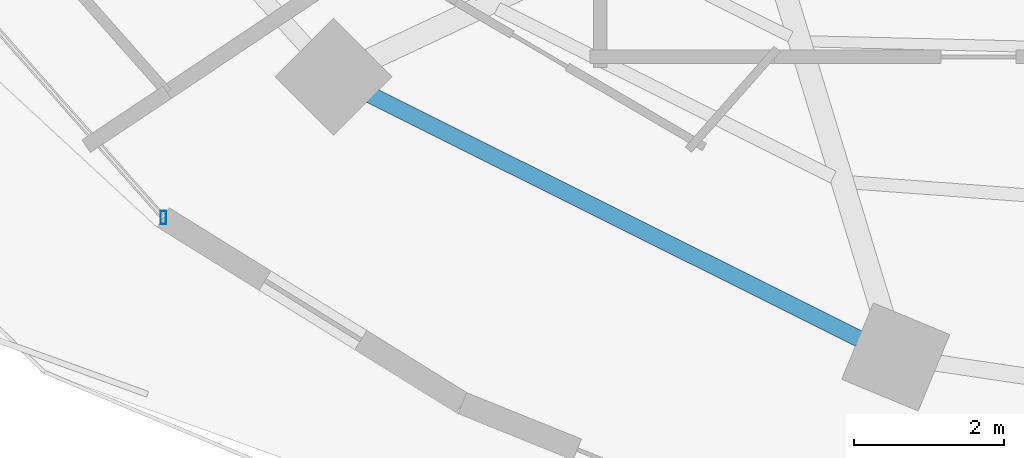
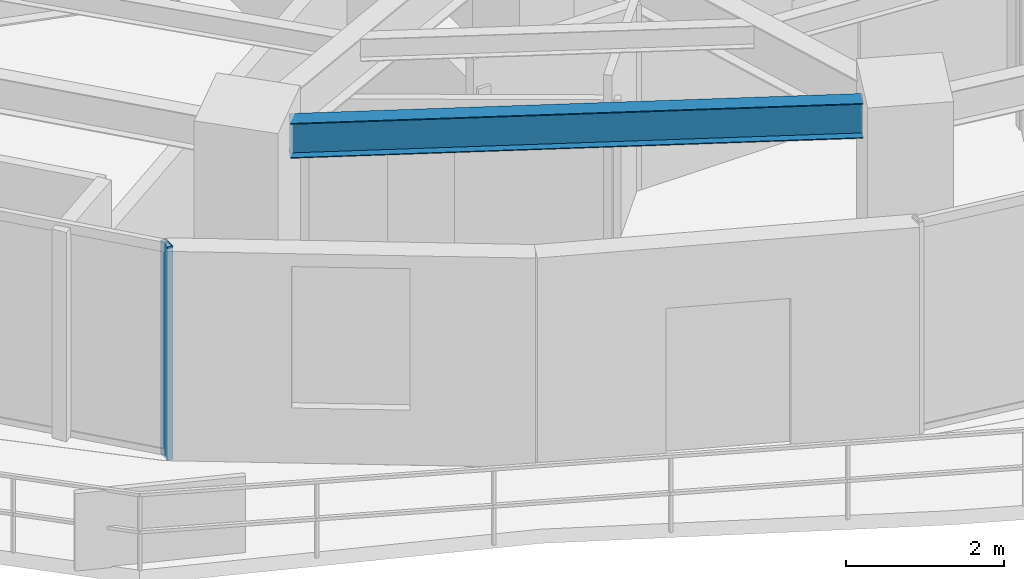
# One storey, part 2 of 30: 1 beam, 1 member, 1 element without a shape of its own.
"""IFC4 building model written with IfcOpenShell, lengths in metres."""

from ifc_helpers import new_model, si_unit, direction, frame, origin, origin_2d, place, context, subcontext, project, spatial, hollow_rectangle, i_section, extrude, material, material_profile, profile_set, type_object, element, aggregate, save


model = new_model("IFC4")

# Units and contexts
model_context = context("Model", 3, precision=1e-05, world=origin(), true_north=direction((0.0, 1.0)))
body_context = subcontext(model_context, "Body", "Model", "MODEL_VIEW")
ifc_project = project(units=[si_unit("LENGTHUNIT", "METRE"), si_unit("AREAUNIT", "SQUARE_METRE"), si_unit("VOLUMEUNIT", "CUBIC_METRE"), si_unit("PLANEANGLEUNIT", "RADIAN"), si_unit("MASSUNIT", "GRAM", prefix="KILO")], contexts=[model_context])

# Site, building, storey
site_placement = place(None, origin())
site = spatial("IfcSite", under=ifc_project, at=site_placement, CompositionType="ELEMENT")
building_placement = place(site_placement, origin())
building = spatial("IfcBuilding", under=site, at=building_placement, Name="Vorneva Point Tower", CompositionType="ELEMENT")
storey_placement = place(building_placement, frame((0.0, 0.0, 78.800048828125)))
storey = spatial("IfcBuildingStorey", under=building, at=storey_placement, Name="L20", CompositionType="ELEMENT", Elevation=78.800048828125)

# Beam
ifc_material_1 = material(Name="Steel S355", Category="steel")
ifc_material_profile_1 = material_profile(ifc_material_1, i_section(OverallWidth=0.219970703125, OverallDepth=0.54296875, WebThickness=0.009521484375, FlangeThickness=0.013427734375, at=origin_2d()), Name="55B1")
ifc_profile_set_1 = profile_set([ifc_material_profile_1], Name="Steel S355")
beam_type = type_object("IfcBeamType", Name="BM-SPN-55B1", PredefinedType="SPANDREL", material=ifc_profile_set_1)
beam_placement = place(storey_placement, frame((22.179931640625, 13.59912109375, 2.968505859375), z_axis=(0.894915882304, -0.446234874926, 0.0), x_axis=(0.446234874926, 0.894915882304, 0.0)))
element("IfcBeam", 1, at=beam_placement, inside=storey, type_object=beam_type, Name="L20 Perimeter Spandrel Ring Beam 11", PredefinedType="SPANDREL", context=body_context, shape_type="SweptSolid", body=[
    extrude(i_section(OverallWidth=0.219970703125, OverallDepth=0.54296875, WebThickness=0.009521484375, FlangeThickness=0.013427734375, at=origin_2d()), origin(), (0.0, 0.0, 1.0), 7.285888671875),
])

# Curtain wall, member
ifc_material_2 = material(Name="Pale anodised aluminium", Category="aluminium")
curtain_wall_type = type_object("IfcCurtainWallType", Name="CW-HTL-SYS", PredefinedType="NOTDEFINED", material=ifc_material_2)
curtain_wall_placement = place(storey_placement, origin())
curtain_wall = element("IfcCurtainWall", 2, at=curtain_wall_placement, inside=storey, type_object=curtain_wall_type, Name="L20 Unitised Curtain Wall CW-L20-R02", PredefinedType="NOTDEFINED")
ifc_material_profile_2 = material_profile(ifc_material_2, hollow_rectangle(XDim=0.074951171875, YDim=0.179931640625, WallThickness=0.00390625, at=origin_2d()), Name="AL-MUL 180x75x4")
ifc_profile_set_2 = profile_set([ifc_material_profile_2], Name="Pale anodised aluminium")
member_type = type_object("IfcMemberType", Name="CW-MUL-180", PredefinedType="MULLION", material=ifc_profile_set_2)
member_placement = place(storey_placement, frame((19.4384765625, 11.9638671875, -0.0400390625), z_axis=(0.0, 0.0, 1.0), x_axis=(1.0, 0.0, 0.0)))
member = element("IfcMember", 3, at=member_placement, type_object=member_type, Name="CW-L20-R02 Mullion 05", PredefinedType="MULLION", context=body_context, shape_type="SweptSolid", body=[
    extrude(hollow_rectangle(XDim=0.074951171875, YDim=0.179931640625, WallThickness=0.00390625, at=origin_2d()), origin(), (0.0, 0.0, 1.0), 3.31005859375),
])
aggregate(curtain_wall, [member])

save(model, "model.ifc")
